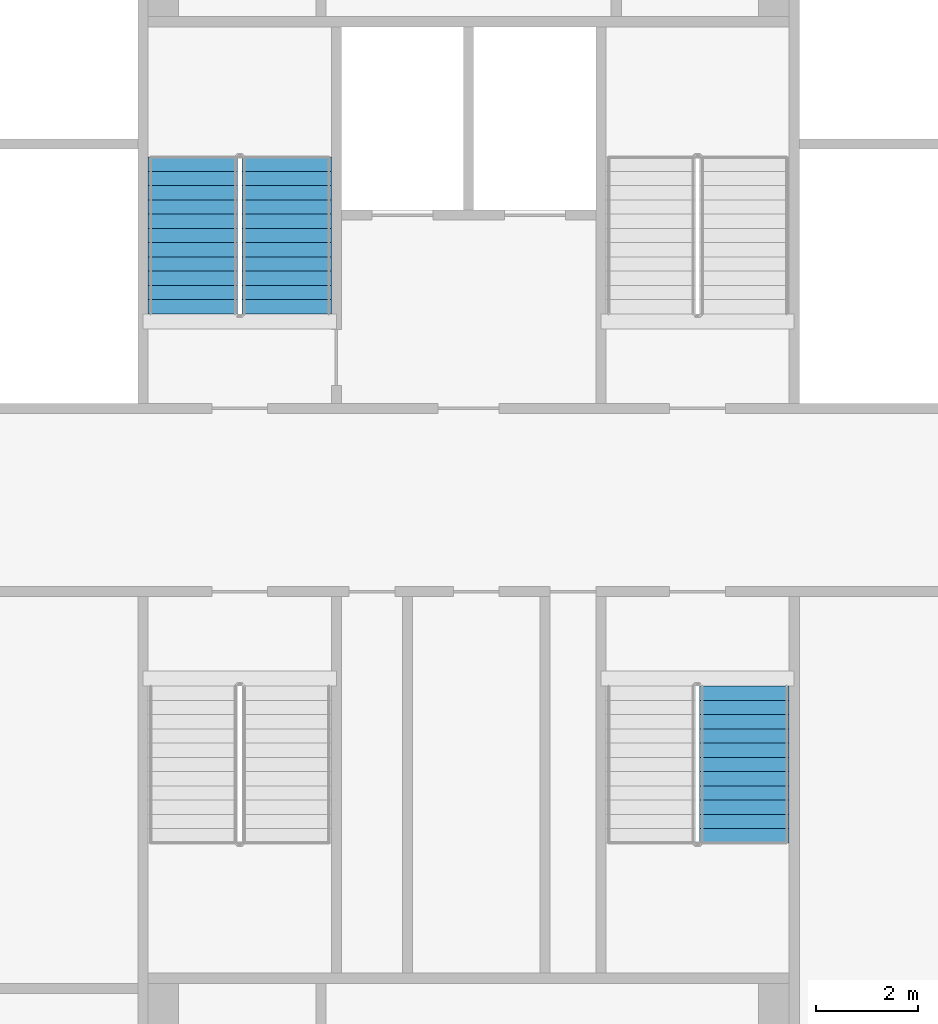
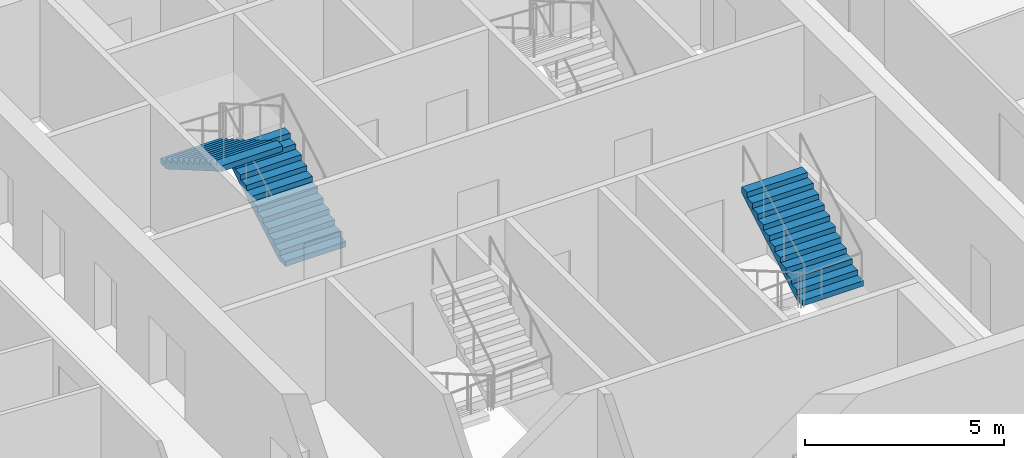
# One storey, part 16 of 22: 3 stair flights, 2 elements without a shape of their own.
"""IFC4 building model written with IfcOpenShell, lengths in metres."""

from ifc_helpers import new_model, si_unit, direction, frame, origin, place, context, subcontext, project, spatial, faceted_brep, material, type_object, element, aggregate, save


model = new_model("IFC4")

# Units and contexts
model_context = context("Model", 3, precision=1e-05, world=origin(), true_north=direction((0.0, 1.0)))
body_context = subcontext(model_context, "Body", "Model", "MODEL_VIEW")
ifc_project = project(units=[si_unit("LENGTHUNIT", "METRE"), si_unit("AREAUNIT", "SQUARE_METRE"), si_unit("VOLUMEUNIT", "CUBIC_METRE"), si_unit("PLANEANGLEUNIT", "RADIAN"), si_unit("MASSUNIT", "GRAM", prefix="KILO")], contexts=[model_context])

# Site, building, storey
site_placement = place(None, origin())
site = spatial("IfcSite", under=ifc_project, at=site_placement, CompositionType="ELEMENT")
building_placement = place(site_placement, origin())
building = spatial("IfcBuilding", under=site, at=building_placement, Name="Tarsis Ring Headquarters", CompositionType="ELEMENT")
storey_placement = place(building_placement, frame((0.0, 0.0, 270.800048828125)))
storey = spatial("IfcBuildingStorey", under=building, at=storey_placement, Name="L63", CompositionType="ELEMENT", Elevation=270.800048828125)

# Stair, stair flights
ifc_material_1 = material(Name="Core stair 1760")
stair_type = type_object("IfcStairType", Name="Core stair 1760", PredefinedType="HALF_TURN_STAIR", material=ifc_material_1)
stair_1_placement = place(storey_placement, origin())
stair_1 = element("IfcStair", 1, at=stair_1_placement, inside=storey, type_object=stair_type, Name="L63 Firefighting stair", PredefinedType="HALF_TURN_STAIR")
ifc_material_2 = material(Name="Concrete C40/50", Category="concrete")
stair_flight_type = type_object("IfcStairFlightType", Name="Core stair flight 1760", PredefinedType="STRAIGHT", material=ifc_material_2)
stair_flight_1_placement = place(storey_placement, frame((-3.580078125, 3.659912109375, 0.0), z_axis=(0.0, 0.0, 1.0), x_axis=(0.0, 1.0, 0.0)))
stair_flight_1 = element("IfcStairFlight", 2, at=stair_flight_1_placement, type_object=stair_flight_type, Name="Stair ST1 flight 1", NumberOfRisers=12, NumberOfTreads=11, PredefinedType="STRAIGHT", RiserHeight=0.1625, TreadLength=0.28, context=body_context, shape_type="Brep", body=[
    faceted_brep([(0.0, 0.8798828125, 0.0), (0.0, 0.8798828125, 0.16259765625), (0.280029296875, 0.8798828125, 0.16259765625), (0.280029296875, 0.8798828125, 0.324951171875), (0.56005859375, 0.8798828125, 0.324951171875), (0.56005859375, 0.8798828125, 0.487548828125), (0.840087890625, 0.8798828125, 0.487548828125), (0.840087890625, 0.8798828125, 0.64990234375), (1.1201171875, 0.8798828125, 0.64990234375), (1.1201171875, 0.8798828125, 0.8125), (1.39990234375, 0.8798828125, 0.8125), (1.39990234375, 0.8798828125, 0.97509765625), (1.679931640625, 0.8798828125, 0.97509765625), (1.679931640625, 0.8798828125, 1.137451171875), (1.9599609375, 0.8798828125, 1.137451171875), (1.9599609375, 0.8798828125, 1.300048828125), (2.239990234375, 0.8798828125, 1.300048828125), (2.239990234375, 0.8798828125, 1.46240234375), (2.52001953125, 0.8798828125, 1.46240234375), (2.52001953125, 0.8798828125, 1.625), (2.800048828125, 0.8798828125, 1.625), (2.800048828125, 0.8798828125, 1.78759765625), (3.080078125, 0.8798828125, 1.78759765625), (3.080078125, 0.8798828125, 1.6142578125), (0.298583984375, 0.8798828125, 0.0), (0.298583984375, -0.8798828125, 0.0), (3.080078125, -0.8798828125, 1.6142578125), (3.080078125, -0.8798828125, 1.78759765625), (2.800048828125, -0.8798828125, 1.78759765625), (2.800048828125, -0.8798828125, 1.625), (2.52001953125, -0.8798828125, 1.625), (2.52001953125, -0.8798828125, 1.46240234375), (2.239990234375, -0.8798828125, 1.46240234375), (2.239990234375, -0.8798828125, 1.300048828125), (1.9599609375, -0.8798828125, 1.300048828125), (1.9599609375, -0.8798828125, 1.137451171875), (1.679931640625, -0.8798828125, 1.137451171875), (1.679931640625, -0.8798828125, 0.97509765625), (1.39990234375, -0.8798828125, 0.97509765625), (1.39990234375, -0.8798828125, 0.8125), (1.1201171875, -0.8798828125, 0.8125), (1.1201171875, -0.8798828125, 0.64990234375), (0.840087890625, -0.8798828125, 0.64990234375), (0.840087890625, -0.8798828125, 0.487548828125), (0.56005859375, -0.8798828125, 0.487548828125), (0.56005859375, -0.8798828125, 0.324951171875), (0.280029296875, -0.8798828125, 0.324951171875), (0.280029296875, -0.8798828125, 0.16259765625), (0.0, -0.8798828125, 0.16259765625), (0.0, -0.8798828125, 0.0), (0.0, -0.43994140625, 0.16259765625), (0.0, -0.43994140625, 0.0), (0.0, 0.0, 0.16259765625), (0.0, 0.0, 0.0), (0.0, 0.43994140625, 0.16259765625), (0.0, 0.43994140625, 0.0), (0.280029296875, -0.43994140625, 0.16259765625), (0.280029296875, 0.0, 0.16259765625), (0.280029296875, 0.43994140625, 0.16259765625), (0.280029296875, -0.43994140625, 0.324951171875), (0.280029296875, 0.0, 0.324951171875), (0.280029296875, 0.43994140625, 0.324951171875), (0.56005859375, -0.43994140625, 0.324951171875), (0.56005859375, 0.0, 0.324951171875), (0.56005859375, 0.43994140625, 0.324951171875), (0.56005859375, -0.43994140625, 0.487548828125), (0.56005859375, 0.0, 0.487548828125), (0.56005859375, 0.43994140625, 0.487548828125), (0.840087890625, -0.43994140625, 0.487548828125), (0.840087890625, 0.0, 0.487548828125), (0.840087890625, 0.43994140625, 0.487548828125), (0.840087890625, -0.43994140625, 0.64990234375), (0.840087890625, 0.0, 0.64990234375), (0.840087890625, 0.43994140625, 0.64990234375), (1.1201171875, -0.43994140625, 0.64990234375), (1.1201171875, 0.0, 0.64990234375), (1.1201171875, 0.43994140625, 0.64990234375), (1.1201171875, -0.43994140625, 0.8125), (1.1201171875, 0.0, 0.8125), (1.1201171875, 0.43994140625, 0.8125), (1.39990234375, -0.43994140625, 0.8125), (1.39990234375, 0.0, 0.8125), (1.39990234375, 0.43994140625, 0.8125), (1.39990234375, -0.43994140625, 0.97509765625), (1.39990234375, 0.0, 0.97509765625), (1.39990234375, 0.43994140625, 0.97509765625), (1.679931640625, -0.43994140625, 0.97509765625), (1.679931640625, 0.0, 0.97509765625), (1.679931640625, 0.43994140625, 0.97509765625), (1.679931640625, -0.43994140625, 1.137451171875), (1.679931640625, 0.0, 1.137451171875), (1.679931640625, 0.43994140625, 1.137451171875), (1.9599609375, -0.43994140625, 1.137451171875), (1.9599609375, 0.0, 1.137451171875), (1.9599609375, 0.43994140625, 1.137451171875), (1.9599609375, -0.43994140625, 1.300048828125), (1.9599609375, 0.0, 1.300048828125), (1.9599609375, 0.43994140625, 1.300048828125), (2.239990234375, -0.43994140625, 1.300048828125), (2.239990234375, 0.0, 1.300048828125), (2.239990234375, 0.43994140625, 1.300048828125), (2.239990234375, -0.43994140625, 1.46240234375), (2.239990234375, 0.0, 1.46240234375), (2.239990234375, 0.43994140625, 1.46240234375), (2.52001953125, -0.43994140625, 1.46240234375), (2.52001953125, 0.0, 1.46240234375), (2.52001953125, 0.43994140625, 1.46240234375), (2.52001953125, -0.43994140625, 1.625), (2.52001953125, 0.0, 1.625), (2.52001953125, 0.43994140625, 1.625), (2.800048828125, -0.43994140625, 1.625), (2.800048828125, 0.0, 1.625), (2.800048828125, 0.43994140625, 1.625), (2.800048828125, -0.43994140625, 1.78759765625), (2.800048828125, 0.0, 1.78759765625), (2.800048828125, 0.43994140625, 1.78759765625), (3.080078125, -0.43994140625, 1.78759765625), (3.080078125, 0.0, 1.78759765625), (3.080078125, 0.43994140625, 1.78759765625), (3.080078125, -0.43994140625, 1.6142578125), (3.080078125, 0.0, 1.6142578125), (3.080078125, 0.43994140625, 1.6142578125), (0.298583984375, -0.43994140625, 0.0), (0.298583984375, 0.0, 0.0), (0.298583984375, 0.43994140625, 0.0)], [[[0, 1, 2, 3, 4, 5, 6, 7, 8, 9, 10, 11, 12, 13, 14, 15, 16, 17, 18, 19, 20, 21, 22, 23, 24]], [[25, 26, 27, 28, 29, 30, 31, 32, 33, 34, 35, 36, 37, 38, 39, 40, 41, 42, 43, 44, 45, 46, 47, 48, 49]], [[49, 48, 50, 51]], [[51, 50, 52, 53]], [[53, 52, 54, 55]], [[55, 54, 1, 0]], [[48, 47, 56, 50]], [[50, 56, 57, 52]], [[52, 57, 58, 54]], [[54, 58, 2, 1]], [[47, 46, 59, 56]], [[56, 59, 60, 57]], [[57, 60, 61, 58]], [[58, 61, 3, 2]], [[46, 45, 62, 59]], [[59, 62, 63, 60]], [[60, 63, 64, 61]], [[61, 64, 4, 3]], [[45, 44, 65, 62]], [[62, 65, 66, 63]], [[63, 66, 67, 64]], [[64, 67, 5, 4]], [[44, 43, 68, 65]], [[65, 68, 69, 66]], [[66, 69, 70, 67]], [[67, 70, 6, 5]], [[43, 42, 71, 68]], [[68, 71, 72, 69]], [[69, 72, 73, 70]], [[70, 73, 7, 6]], [[42, 41, 74, 71]], [[71, 74, 75, 72]], [[72, 75, 76, 73]], [[73, 76, 8, 7]], [[41, 40, 77, 74]], [[74, 77, 78, 75]], [[75, 78, 79, 76]], [[76, 79, 9, 8]], [[40, 39, 80, 77]], [[77, 80, 81, 78]], [[78, 81, 82, 79]], [[79, 82, 10, 9]], [[39, 38, 83, 80]], [[80, 83, 84, 81]], [[81, 84, 85, 82]], [[82, 85, 11, 10]], [[38, 37, 86, 83]], [[83, 86, 87, 84]], [[84, 87, 88, 85]], [[85, 88, 12, 11]], [[37, 36, 89, 86]], [[86, 89, 90, 87]], [[87, 90, 91, 88]], [[88, 91, 13, 12]], [[36, 35, 92, 89]], [[89, 92, 93, 90]], [[90, 93, 94, 91]], [[91, 94, 14, 13]], [[35, 34, 95, 92]], [[92, 95, 96, 93]], [[93, 96, 97, 94]], [[94, 97, 15, 14]], [[34, 33, 98, 95]], [[95, 98, 99, 96]], [[96, 99, 100, 97]], [[97, 100, 16, 15]], [[33, 32, 101, 98]], [[98, 101, 102, 99]], [[99, 102, 103, 100]], [[100, 103, 17, 16]], [[32, 31, 104, 101]], [[101, 104, 105, 102]], [[102, 105, 106, 103]], [[103, 106, 18, 17]], [[31, 30, 107, 104]], [[104, 107, 108, 105]], [[105, 108, 109, 106]], [[106, 109, 19, 18]], [[30, 29, 110, 107]], [[107, 110, 111, 108]], [[108, 111, 112, 109]], [[109, 112, 20, 19]], [[29, 28, 113, 110]], [[110, 113, 114, 111]], [[111, 114, 115, 112]], [[112, 115, 21, 20]], [[28, 27, 116, 113]], [[113, 116, 117, 114]], [[114, 117, 118, 115]], [[115, 118, 22, 21]], [[27, 26, 119, 116]], [[116, 119, 120, 117]], [[117, 120, 121, 118]], [[118, 121, 23, 22]], [[26, 25, 122, 119]], [[119, 122, 123, 120]], [[120, 123, 124, 121]], [[121, 124, 24, 23]], [[25, 49, 51, 122]], [[122, 51, 53, 123]], [[123, 53, 55, 124]], [[124, 55, 0, 24]]]),
])
stair_flight_2_placement = place(storey_placement, frame((-5.419921875, 6.739990234375, 1.949951171875), z_axis=(0.0, 0.0, 1.0), x_axis=(0.0, -1.0, 0.0)))
stair_flight_2 = element("IfcStairFlight", 3, at=stair_flight_2_placement, type_object=stair_flight_type, Name="Stair ST1 flight 2", NumberOfRisers=12, NumberOfTreads=11, PredefinedType="STRAIGHT", RiserHeight=0.1625, TreadLength=0.28, context=body_context, shape_type="Brep", body=[
    faceted_brep([(0.0, 0.8798828125, 0.0), (0.0, 0.8798828125, 0.16259765625), (0.280029296875, 0.8798828125, 0.16259765625), (0.280029296875, 0.8798828125, 0.324951171875), (0.56005859375, 0.8798828125, 0.324951171875), (0.56005859375, 0.8798828125, 0.487548828125), (0.840087890625, 0.8798828125, 0.487548828125), (0.840087890625, 0.8798828125, 0.64990234375), (1.1201171875, 0.8798828125, 0.64990234375), (1.1201171875, 0.8798828125, 0.8125), (1.39990234375, 0.8798828125, 0.8125), (1.39990234375, 0.8798828125, 0.97509765625), (1.679931640625, 0.8798828125, 0.97509765625), (1.679931640625, 0.8798828125, 1.137451171875), (1.9599609375, 0.8798828125, 1.137451171875), (1.9599609375, 0.8798828125, 1.300048828125), (2.239990234375, 0.8798828125, 1.300048828125), (2.239990234375, 0.8798828125, 1.46240234375), (2.52001953125, 0.8798828125, 1.46240234375), (2.52001953125, 0.8798828125, 1.625), (2.800048828125, 0.8798828125, 1.625), (2.800048828125, 0.8798828125, 1.78759765625), (3.080078125, 0.8798828125, 1.78759765625), (3.080078125, 0.8798828125, 1.6142578125), (0.298583984375, 0.8798828125, 0.0), (0.298583984375, -0.8798828125, 0.0), (3.080078125, -0.8798828125, 1.6142578125), (3.080078125, -0.8798828125, 1.78759765625), (2.800048828125, -0.8798828125, 1.78759765625), (2.800048828125, -0.8798828125, 1.625), (2.52001953125, -0.8798828125, 1.625), (2.52001953125, -0.8798828125, 1.46240234375), (2.239990234375, -0.8798828125, 1.46240234375), (2.239990234375, -0.8798828125, 1.300048828125), (1.9599609375, -0.8798828125, 1.300048828125), (1.9599609375, -0.8798828125, 1.137451171875), (1.679931640625, -0.8798828125, 1.137451171875), (1.679931640625, -0.8798828125, 0.97509765625), (1.39990234375, -0.8798828125, 0.97509765625), (1.39990234375, -0.8798828125, 0.8125), (1.1201171875, -0.8798828125, 0.8125), (1.1201171875, -0.8798828125, 0.64990234375), (0.840087890625, -0.8798828125, 0.64990234375), (0.840087890625, -0.8798828125, 0.487548828125), (0.56005859375, -0.8798828125, 0.487548828125), (0.56005859375, -0.8798828125, 0.324951171875), (0.280029296875, -0.8798828125, 0.324951171875), (0.280029296875, -0.8798828125, 0.16259765625), (0.0, -0.8798828125, 0.16259765625), (0.0, -0.8798828125, 0.0), (0.0, -0.43994140625, 0.16259765625), (0.0, -0.43994140625, 0.0), (0.0, 0.0, 0.16259765625), (0.0, 0.0, 0.0), (0.0, 0.43994140625, 0.16259765625), (0.0, 0.43994140625, 0.0), (0.280029296875, -0.43994140625, 0.16259765625), (0.280029296875, 0.0, 0.16259765625), (0.280029296875, 0.43994140625, 0.16259765625), (0.280029296875, -0.43994140625, 0.324951171875), (0.280029296875, 0.0, 0.324951171875), (0.280029296875, 0.43994140625, 0.324951171875), (0.56005859375, -0.43994140625, 0.324951171875), (0.56005859375, 0.0, 0.324951171875), (0.56005859375, 0.43994140625, 0.324951171875), (0.56005859375, -0.43994140625, 0.487548828125), (0.56005859375, 0.0, 0.487548828125), (0.56005859375, 0.43994140625, 0.487548828125), (0.840087890625, -0.43994140625, 0.487548828125), (0.840087890625, 0.0, 0.487548828125), (0.840087890625, 0.43994140625, 0.487548828125), (0.840087890625, -0.43994140625, 0.64990234375), (0.840087890625, 0.0, 0.64990234375), (0.840087890625, 0.43994140625, 0.64990234375), (1.1201171875, -0.43994140625, 0.64990234375), (1.1201171875, 0.0, 0.64990234375), (1.1201171875, 0.43994140625, 0.64990234375), (1.1201171875, -0.43994140625, 0.8125), (1.1201171875, 0.0, 0.8125), (1.1201171875, 0.43994140625, 0.8125), (1.39990234375, -0.43994140625, 0.8125), (1.39990234375, 0.0, 0.8125), (1.39990234375, 0.43994140625, 0.8125), (1.39990234375, -0.43994140625, 0.97509765625), (1.39990234375, 0.0, 0.97509765625), (1.39990234375, 0.43994140625, 0.97509765625), (1.679931640625, -0.43994140625, 0.97509765625), (1.679931640625, 0.0, 0.97509765625), (1.679931640625, 0.43994140625, 0.97509765625), (1.679931640625, -0.43994140625, 1.137451171875), (1.679931640625, 0.0, 1.137451171875), (1.679931640625, 0.43994140625, 1.137451171875), (1.9599609375, -0.43994140625, 1.137451171875), (1.9599609375, 0.0, 1.137451171875), (1.9599609375, 0.43994140625, 1.137451171875), (1.9599609375, -0.43994140625, 1.300048828125), (1.9599609375, 0.0, 1.300048828125), (1.9599609375, 0.43994140625, 1.300048828125), (2.239990234375, -0.43994140625, 1.300048828125), (2.239990234375, 0.0, 1.300048828125), (2.239990234375, 0.43994140625, 1.300048828125), (2.239990234375, -0.43994140625, 1.46240234375), (2.239990234375, 0.0, 1.46240234375), (2.239990234375, 0.43994140625, 1.46240234375), (2.52001953125, -0.43994140625, 1.46240234375), (2.52001953125, 0.0, 1.46240234375), (2.52001953125, 0.43994140625, 1.46240234375), (2.52001953125, -0.43994140625, 1.625), (2.52001953125, 0.0, 1.625), (2.52001953125, 0.43994140625, 1.625), (2.800048828125, -0.43994140625, 1.625), (2.800048828125, 0.0, 1.625), (2.800048828125, 0.43994140625, 1.625), (2.800048828125, -0.43994140625, 1.78759765625), (2.800048828125, 0.0, 1.78759765625), (2.800048828125, 0.43994140625, 1.78759765625), (3.080078125, -0.43994140625, 1.78759765625), (3.080078125, 0.0, 1.78759765625), (3.080078125, 0.43994140625, 1.78759765625), (3.080078125, -0.43994140625, 1.6142578125), (3.080078125, 0.0, 1.6142578125), (3.080078125, 0.43994140625, 1.6142578125), (0.298583984375, -0.43994140625, 0.0), (0.298583984375, 0.0, 0.0), (0.298583984375, 0.43994140625, 0.0)], [[[0, 1, 2, 3, 4, 5, 6, 7, 8, 9, 10, 11, 12, 13, 14, 15, 16, 17, 18, 19, 20, 21, 22, 23, 24]], [[25, 26, 27, 28, 29, 30, 31, 32, 33, 34, 35, 36, 37, 38, 39, 40, 41, 42, 43, 44, 45, 46, 47, 48, 49]], [[49, 48, 50, 51]], [[51, 50, 52, 53]], [[53, 52, 54, 55]], [[55, 54, 1, 0]], [[48, 47, 56, 50]], [[50, 56, 57, 52]], [[52, 57, 58, 54]], [[54, 58, 2, 1]], [[47, 46, 59, 56]], [[56, 59, 60, 57]], [[57, 60, 61, 58]], [[58, 61, 3, 2]], [[46, 45, 62, 59]], [[59, 62, 63, 60]], [[60, 63, 64, 61]], [[61, 64, 4, 3]], [[45, 44, 65, 62]], [[62, 65, 66, 63]], [[63, 66, 67, 64]], [[64, 67, 5, 4]], [[44, 43, 68, 65]], [[65, 68, 69, 66]], [[66, 69, 70, 67]], [[67, 70, 6, 5]], [[43, 42, 71, 68]], [[68, 71, 72, 69]], [[69, 72, 73, 70]], [[70, 73, 7, 6]], [[42, 41, 74, 71]], [[71, 74, 75, 72]], [[72, 75, 76, 73]], [[73, 76, 8, 7]], [[41, 40, 77, 74]], [[74, 77, 78, 75]], [[75, 78, 79, 76]], [[76, 79, 9, 8]], [[40, 39, 80, 77]], [[77, 80, 81, 78]], [[78, 81, 82, 79]], [[79, 82, 10, 9]], [[39, 38, 83, 80]], [[80, 83, 84, 81]], [[81, 84, 85, 82]], [[82, 85, 11, 10]], [[38, 37, 86, 83]], [[83, 86, 87, 84]], [[84, 87, 88, 85]], [[85, 88, 12, 11]], [[37, 36, 89, 86]], [[86, 89, 90, 87]], [[87, 90, 91, 88]], [[88, 91, 13, 12]], [[36, 35, 92, 89]], [[89, 92, 93, 90]], [[90, 93, 94, 91]], [[91, 94, 14, 13]], [[35, 34, 95, 92]], [[92, 95, 96, 93]], [[93, 96, 97, 94]], [[94, 97, 15, 14]], [[34, 33, 98, 95]], [[95, 98, 99, 96]], [[96, 99, 100, 97]], [[97, 100, 16, 15]], [[33, 32, 101, 98]], [[98, 101, 102, 99]], [[99, 102, 103, 100]], [[100, 103, 17, 16]], [[32, 31, 104, 101]], [[101, 104, 105, 102]], [[102, 105, 106, 103]], [[103, 106, 18, 17]], [[31, 30, 107, 104]], [[104, 107, 108, 105]], [[105, 108, 109, 106]], [[106, 109, 19, 18]], [[30, 29, 110, 107]], [[107, 110, 111, 108]], [[108, 111, 112, 109]], [[109, 112, 20, 19]], [[29, 28, 113, 110]], [[110, 113, 114, 111]], [[111, 114, 115, 112]], [[112, 115, 21, 20]], [[28, 27, 116, 113]], [[113, 116, 117, 114]], [[114, 117, 118, 115]], [[115, 118, 22, 21]], [[27, 26, 119, 116]], [[116, 119, 120, 117]], [[117, 120, 121, 118]], [[118, 121, 23, 22]], [[26, 25, 122, 119]], [[119, 122, 123, 120]], [[120, 123, 124, 121]], [[121, 124, 24, 23]], [[25, 49, 51, 122]], [[122, 51, 53, 123]], [[123, 53, 55, 124]], [[124, 55, 0, 24]]]),
])
aggregate(stair_1, [stair_flight_1, stair_flight_2])

# Stair, stair flight
stair_2_placement = place(storey_placement, origin())
stair_2 = element("IfcStair", 4, at=stair_2_placement, inside=storey, type_object=stair_type, Name="L63 Exit stair D", PredefinedType="HALF_TURN_STAIR")
stair_flight_3_placement = place(storey_placement, frame((5.419921875, -6.739990234375, 1.949951171875), z_axis=(0.0, 0.0, 1.0), x_axis=(0.0, 1.0, 0.0)))
stair_flight_3 = element("IfcStairFlight", 5, at=stair_flight_3_placement, type_object=stair_flight_type, Name="Stair ST4 flight 2", NumberOfRisers=12, NumberOfTreads=11, PredefinedType="STRAIGHT", RiserHeight=0.1625, TreadLength=0.28, context=body_context, shape_type="Brep", body=[
    faceted_brep([(0.0, 0.8798828125, 0.0), (0.0, 0.8798828125, 0.16259765625), (0.280029296875, 0.8798828125, 0.16259765625), (0.280029296875, 0.8798828125, 0.324951171875), (0.56005859375, 0.8798828125, 0.324951171875), (0.56005859375, 0.8798828125, 0.487548828125), (0.840087890625, 0.8798828125, 0.487548828125), (0.840087890625, 0.8798828125, 0.64990234375), (1.1201171875, 0.8798828125, 0.64990234375), (1.1201171875, 0.8798828125, 0.8125), (1.39990234375, 0.8798828125, 0.8125), (1.39990234375, 0.8798828125, 0.97509765625), (1.679931640625, 0.8798828125, 0.97509765625), (1.679931640625, 0.8798828125, 1.137451171875), (1.9599609375, 0.8798828125, 1.137451171875), (1.9599609375, 0.8798828125, 1.300048828125), (2.239990234375, 0.8798828125, 1.300048828125), (2.239990234375, 0.8798828125, 1.46240234375), (2.52001953125, 0.8798828125, 1.46240234375), (2.52001953125, 0.8798828125, 1.625), (2.800048828125, 0.8798828125, 1.625), (2.800048828125, 0.8798828125, 1.78759765625), (3.080078125, 0.8798828125, 1.78759765625), (3.080078125, 0.8798828125, 1.6142578125), (0.298583984375, 0.8798828125, 0.0), (0.298583984375, -0.8798828125, 0.0), (3.080078125, -0.8798828125, 1.6142578125), (3.080078125, -0.8798828125, 1.78759765625), (2.800048828125, -0.8798828125, 1.78759765625), (2.800048828125, -0.8798828125, 1.625), (2.52001953125, -0.8798828125, 1.625), (2.52001953125, -0.8798828125, 1.46240234375), (2.239990234375, -0.8798828125, 1.46240234375), (2.239990234375, -0.8798828125, 1.300048828125), (1.9599609375, -0.8798828125, 1.300048828125), (1.9599609375, -0.8798828125, 1.137451171875), (1.679931640625, -0.8798828125, 1.137451171875), (1.679931640625, -0.8798828125, 0.97509765625), (1.39990234375, -0.8798828125, 0.97509765625), (1.39990234375, -0.8798828125, 0.8125), (1.1201171875, -0.8798828125, 0.8125), (1.1201171875, -0.8798828125, 0.64990234375), (0.840087890625, -0.8798828125, 0.64990234375), (0.840087890625, -0.8798828125, 0.487548828125), (0.56005859375, -0.8798828125, 0.487548828125), (0.56005859375, -0.8798828125, 0.324951171875), (0.280029296875, -0.8798828125, 0.324951171875), (0.280029296875, -0.8798828125, 0.16259765625), (0.0, -0.8798828125, 0.16259765625), (0.0, -0.8798828125, 0.0), (0.0, -0.43994140625, 0.16259765625), (0.0, -0.43994140625, 0.0), (0.0, 0.0, 0.16259765625), (0.0, 0.0, 0.0), (0.0, 0.43994140625, 0.16259765625), (0.0, 0.43994140625, 0.0), (0.280029296875, -0.43994140625, 0.16259765625), (0.280029296875, 0.0, 0.16259765625), (0.280029296875, 0.43994140625, 0.16259765625), (0.280029296875, -0.43994140625, 0.324951171875), (0.280029296875, 0.0, 0.324951171875), (0.280029296875, 0.43994140625, 0.324951171875), (0.56005859375, -0.43994140625, 0.324951171875), (0.56005859375, 0.0, 0.324951171875), (0.56005859375, 0.43994140625, 0.324951171875), (0.56005859375, -0.43994140625, 0.487548828125), (0.56005859375, 0.0, 0.487548828125), (0.56005859375, 0.43994140625, 0.487548828125), (0.840087890625, -0.43994140625, 0.487548828125), (0.840087890625, 0.0, 0.487548828125), (0.840087890625, 0.43994140625, 0.487548828125), (0.840087890625, -0.43994140625, 0.64990234375), (0.840087890625, 0.0, 0.64990234375), (0.840087890625, 0.43994140625, 0.64990234375), (1.1201171875, -0.43994140625, 0.64990234375), (1.1201171875, 0.0, 0.64990234375), (1.1201171875, 0.43994140625, 0.64990234375), (1.1201171875, -0.43994140625, 0.8125), (1.1201171875, 0.0, 0.8125), (1.1201171875, 0.43994140625, 0.8125), (1.39990234375, -0.43994140625, 0.8125), (1.39990234375, 0.0, 0.8125), (1.39990234375, 0.43994140625, 0.8125), (1.39990234375, -0.43994140625, 0.97509765625), (1.39990234375, 0.0, 0.97509765625), (1.39990234375, 0.43994140625, 0.97509765625), (1.679931640625, -0.43994140625, 0.97509765625), (1.679931640625, 0.0, 0.97509765625), (1.679931640625, 0.43994140625, 0.97509765625), (1.679931640625, -0.43994140625, 1.137451171875), (1.679931640625, 0.0, 1.137451171875), (1.679931640625, 0.43994140625, 1.137451171875), (1.9599609375, -0.43994140625, 1.137451171875), (1.9599609375, 0.0, 1.137451171875), (1.9599609375, 0.43994140625, 1.137451171875), (1.9599609375, -0.43994140625, 1.300048828125), (1.9599609375, 0.0, 1.300048828125), (1.9599609375, 0.43994140625, 1.300048828125), (2.239990234375, -0.43994140625, 1.300048828125), (2.239990234375, 0.0, 1.300048828125), (2.239990234375, 0.43994140625, 1.300048828125), (2.239990234375, -0.43994140625, 1.46240234375), (2.239990234375, 0.0, 1.46240234375), (2.239990234375, 0.43994140625, 1.46240234375), (2.52001953125, -0.43994140625, 1.46240234375), (2.52001953125, 0.0, 1.46240234375), (2.52001953125, 0.43994140625, 1.46240234375), (2.52001953125, -0.43994140625, 1.625), (2.52001953125, 0.0, 1.625), (2.52001953125, 0.43994140625, 1.625), (2.800048828125, -0.43994140625, 1.625), (2.800048828125, 0.0, 1.625), (2.800048828125, 0.43994140625, 1.625), (2.800048828125, -0.43994140625, 1.78759765625), (2.800048828125, 0.0, 1.78759765625), (2.800048828125, 0.43994140625, 1.78759765625), (3.080078125, -0.43994140625, 1.78759765625), (3.080078125, 0.0, 1.78759765625), (3.080078125, 0.43994140625, 1.78759765625), (3.080078125, -0.43994140625, 1.6142578125), (3.080078125, 0.0, 1.6142578125), (3.080078125, 0.43994140625, 1.6142578125), (0.298583984375, -0.43994140625, 0.0), (0.298583984375, 0.0, 0.0), (0.298583984375, 0.43994140625, 0.0)], [[[0, 1, 2, 3, 4, 5, 6, 7, 8, 9, 10, 11, 12, 13, 14, 15, 16, 17, 18, 19, 20, 21, 22, 23, 24]], [[25, 26, 27, 28, 29, 30, 31, 32, 33, 34, 35, 36, 37, 38, 39, 40, 41, 42, 43, 44, 45, 46, 47, 48, 49]], [[49, 48, 50, 51]], [[51, 50, 52, 53]], [[53, 52, 54, 55]], [[55, 54, 1, 0]], [[48, 47, 56, 50]], [[50, 56, 57, 52]], [[52, 57, 58, 54]], [[54, 58, 2, 1]], [[47, 46, 59, 56]], [[56, 59, 60, 57]], [[57, 60, 61, 58]], [[58, 61, 3, 2]], [[46, 45, 62, 59]], [[59, 62, 63, 60]], [[60, 63, 64, 61]], [[61, 64, 4, 3]], [[45, 44, 65, 62]], [[62, 65, 66, 63]], [[63, 66, 67, 64]], [[64, 67, 5, 4]], [[44, 43, 68, 65]], [[65, 68, 69, 66]], [[66, 69, 70, 67]], [[67, 70, 6, 5]], [[43, 42, 71, 68]], [[68, 71, 72, 69]], [[69, 72, 73, 70]], [[70, 73, 7, 6]], [[42, 41, 74, 71]], [[71, 74, 75, 72]], [[72, 75, 76, 73]], [[73, 76, 8, 7]], [[41, 40, 77, 74]], [[74, 77, 78, 75]], [[75, 78, 79, 76]], [[76, 79, 9, 8]], [[40, 39, 80, 77]], [[77, 80, 81, 78]], [[78, 81, 82, 79]], [[79, 82, 10, 9]], [[39, 38, 83, 80]], [[80, 83, 84, 81]], [[81, 84, 85, 82]], [[82, 85, 11, 10]], [[38, 37, 86, 83]], [[83, 86, 87, 84]], [[84, 87, 88, 85]], [[85, 88, 12, 11]], [[37, 36, 89, 86]], [[86, 89, 90, 87]], [[87, 90, 91, 88]], [[88, 91, 13, 12]], [[36, 35, 92, 89]], [[89, 92, 93, 90]], [[90, 93, 94, 91]], [[91, 94, 14, 13]], [[35, 34, 95, 92]], [[92, 95, 96, 93]], [[93, 96, 97, 94]], [[94, 97, 15, 14]], [[34, 33, 98, 95]], [[95, 98, 99, 96]], [[96, 99, 100, 97]], [[97, 100, 16, 15]], [[33, 32, 101, 98]], [[98, 101, 102, 99]], [[99, 102, 103, 100]], [[100, 103, 17, 16]], [[32, 31, 104, 101]], [[101, 104, 105, 102]], [[102, 105, 106, 103]], [[103, 106, 18, 17]], [[31, 30, 107, 104]], [[104, 107, 108, 105]], [[105, 108, 109, 106]], [[106, 109, 19, 18]], [[30, 29, 110, 107]], [[107, 110, 111, 108]], [[108, 111, 112, 109]], [[109, 112, 20, 19]], [[29, 28, 113, 110]], [[110, 113, 114, 111]], [[111, 114, 115, 112]], [[112, 115, 21, 20]], [[28, 27, 116, 113]], [[113, 116, 117, 114]], [[114, 117, 118, 115]], [[115, 118, 22, 21]], [[27, 26, 119, 116]], [[116, 119, 120, 117]], [[117, 120, 121, 118]], [[118, 121, 23, 22]], [[26, 25, 122, 119]], [[119, 122, 123, 120]], [[120, 123, 124, 121]], [[121, 124, 24, 23]], [[25, 49, 51, 122]], [[122, 51, 53, 123]], [[123, 53, 55, 124]], [[124, 55, 0, 24]]]),
])
aggregate(stair_2, [stair_flight_3])

save(model, "model.ifc")
